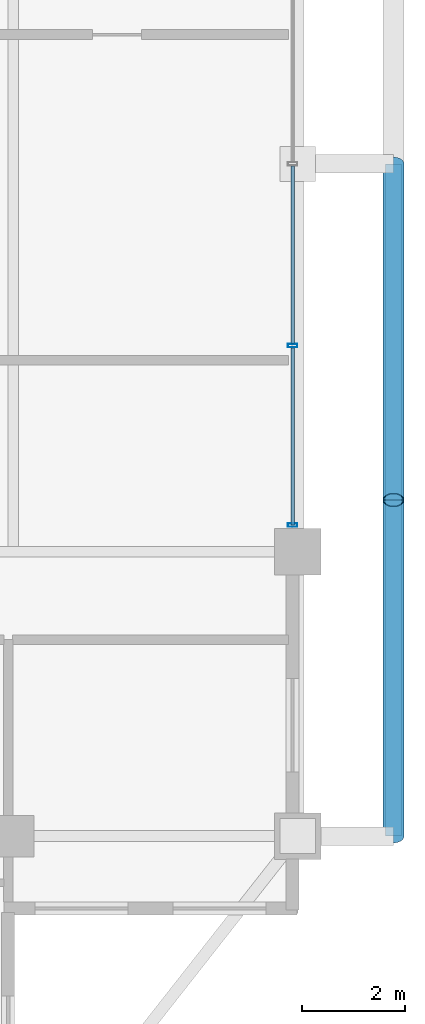
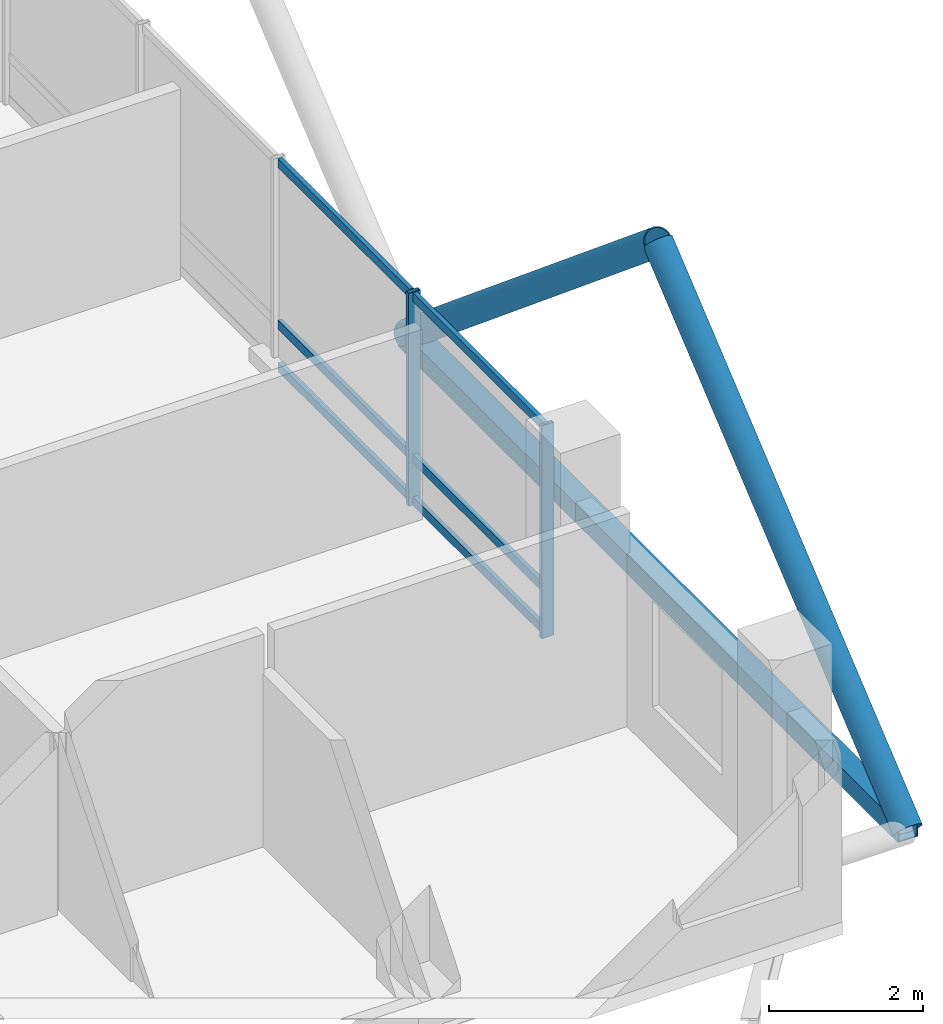
# One storey, part 12 of 21: 11 members, 1 element without a shape of its own.
"""IFC4 building model written with IfcOpenShell, lengths in metres."""

import ifcopenshell
import ifcopenshell.guid

model = None  # the IFC model being written
_history = None  # IfcOwnerHistory: only IFC2X3 demands one
_inside = {}  # id of a spatial element -> (the spatial element, [elements in it])
_under = {}  # id of a project, library or spatial element -> (it, [spatial elements below it])
_declared = {}  # id of a project -> (the project, [libraries it declares])
_typed = {}  # id of a type object -> (the type object, [elements of that type])
_made_of = {}  # id of a material, layer set ... -> (it, [elements and type objects made of it])


def new_model(schema):
    """Start an empty IFC model of exactly this schema.

    Asked for "IFC4X3", IfcOpenShell would pick the latest addendum, in which some entities
    have other attributes; the version numbers below select the first issue.
    IFC2X3 requires an IfcOwnerHistory on every rooted entity: one is made here for all.
    """
    global model, _history
    if schema == "IFC4X3":
        model = ifcopenshell.file(schema_version=(4, 3, 0, 0))
    else:
        model = ifcopenshell.file(schema=schema)
    _inside.clear()
    _under.clear()
    _declared.clear()
    _typed.clear()
    _made_of.clear()
    _history = None
    if model.schema == "IFC2X3":
        org = make("IfcOrganization", Name="unknown")
        user = make(
            "IfcPersonAndOrganization",
            ThePerson=make("IfcPerson", FamilyName="unknown"),
            TheOrganization=org,
        )
        app = make(
            "IfcApplication",
            ApplicationDeveloper=org,
            Version="unknown",
            ApplicationFullName="unknown",
            ApplicationIdentifier="unknown",
        )
        _history = make(
            "IfcOwnerHistory",
            OwningUser=user,
            OwningApplication=app,
            ChangeAction="ADDED",
            CreationDate=0,
        )
    return model


def make(cls, **values):
    """One entity of the class cls with the attributes given. An attribute that is None is left unset."""
    return model.create_entity(
        cls, **{name: value for name, value in values.items() if value is not None}
    )


def rooted(cls, **values):
    """An entity with a GlobalId (a new one), such as an element, a storey or a relation."""
    return make(cls, GlobalId=ifcopenshell.guid.new(), OwnerHistory=_history, **values)


def si_unit(unit_type, name, prefix=None):
    """IfcSIUnit, for example si_unit("LENGTHUNIT", "METRE", prefix="MILLI")."""
    return make("IfcSIUnit", UnitType=unit_type, Prefix=prefix, Name=name)


def assignment(units):
    """IfcUnitAssignment: the units of a project."""
    return None if units is None else make("IfcUnitAssignment", Units=units)


def point(xyz):
    """IfcCartesianPoint."""
    return None if xyz is None else make("IfcCartesianPoint", Coordinates=xyz)


def direction(xyz):
    """IfcDirection."""
    return None if xyz is None else make("IfcDirection", DirectionRatios=xyz)


def frame(location, z_axis=None, x_axis=None):
    """IfcAxis2Placement3D, a coordinate frame: its origin and axes. An axis left out is left unset."""
    return make(
        "IfcAxis2Placement3D",
        Location=point(location),
        Axis=direction(z_axis),
        RefDirection=direction(x_axis),
    )


def frame_2d(location, x_axis=None):
    """IfcAxis2Placement2D, a coordinate frame in the plane: its origin and x axis."""
    return make(
        "IfcAxis2Placement2D", Location=point(location), RefDirection=direction(x_axis)
    )


def origin():
    """The frame at (0, 0, 0) with its axes left unset."""
    return frame((0.0, 0.0, 0.0))


def origin_2d():
    """The frame at (0, 0) in the plane with its x axis left unset."""
    return frame_2d((0.0, 0.0))


def place(relative_to, where):
    """IfcLocalPlacement: puts the frame where relative to a parent placement (None: the world)."""
    return make(
        "IfcLocalPlacement", PlacementRelTo=relative_to, RelativePlacement=where
    )


def context(
    kind, dimensions, precision=None, world=None, true_north=None, identifier=None
):
    """IfcGeometricRepresentationContext, for example the 3D "Model" context."""
    return make(
        "IfcGeometricRepresentationContext",
        ContextIdentifier=identifier,
        ContextType=kind,
        CoordinateSpaceDimension=dimensions,
        Precision=precision,
        WorldCoordinateSystem=world,
        TrueNorth=true_north,
    )


def subcontext(parent, identifier, kind, view, scale=None):
    """IfcGeometricRepresentationSubContext, for example "Body" below "Model"."""
    return make(
        "IfcGeometricRepresentationSubContext",
        ContextIdentifier=identifier,
        ContextType=kind,
        ParentContext=parent,
        TargetScale=scale,
        TargetView=view,
    )


def project(units=None, contexts=None):
    """IfcProject with its units and contexts."""
    return rooted(
        "IfcProject",
        Name="project",
        RepresentationContexts=contexts,
        UnitsInContext=assignment(units),
    )


def spatial(cls, under=None, at=None, **own):
    """A site, building, storey or space (cls), placed at a placement, below another one or the project."""
    s = rooted(cls, ObjectPlacement=at, **own)
    if under is not None:
        _under.setdefault(under.id(), (under, []))[1].append(s)
    return s


def profile(cls, at=None, kind="AREA", **sizes):
    """A parametric profile (cls). Its sizes go by their IFC names, for example OverallWidth=200.0."""
    return make(cls, ProfileType=kind, Position=at, **sizes)


def hollow_rectangle(**sizes):
    """IfcRectangleHollowProfileDef."""
    return profile("IfcRectangleHollowProfileDef", **sizes)


def hollow_circle(**sizes):
    """IfcCircleHollowProfileDef."""
    return profile("IfcCircleHollowProfileDef", **sizes)


def extrude(swept, where, along, depth):
    """IfcExtrudedAreaSolid: the profile swept, set in the frame where, extruded along a direction by depth."""
    return make(
        "IfcExtrudedAreaSolid",
        SweptArea=swept,
        Position=where,
        ExtrudedDirection=direction(along),
        Depth=depth,
    )


def shape(context_of_items, identifier, shape_type, items):
    """IfcShapeRepresentation: the items that make up one representation, for example the "Body"."""
    return make(
        "IfcShapeRepresentation",
        ContextOfItems=context_of_items,
        RepresentationIdentifier=identifier,
        RepresentationType=shape_type,
        Items=items,
    )


def material(Name=None, Category=None):
    """IfcMaterial."""
    return make("IfcMaterial", Name=Name, Category=Category)


def layer(
    of_material, thickness, ventilated=None, Name=None, Category=None, Priority=None
):
    """IfcMaterialLayer: one layer of a wall or slab, of a material (None: an air gap)."""
    return make(
        "IfcMaterialLayer",
        Material=of_material,
        LayerThickness=thickness,
        IsVentilated=ventilated,
        Name=Name,
        Category=Category,
        Priority=Priority,
    )


def layer_set(layers, Name=None):
    """IfcMaterialLayerSet."""
    return make("IfcMaterialLayerSet", MaterialLayers=layers, LayerSetName=Name)


def material_profile(
    of_material, cross_section, Name=None, Category=None, Priority=None
):
    """IfcMaterialProfile: a cross section and its material."""
    return make(
        "IfcMaterialProfile",
        Name=Name,
        Material=of_material,
        Profile=cross_section,
        Priority=Priority,
        Category=Category,
    )


def profile_set(profiles, Name=None, composite=None):
    """IfcMaterialProfileSet."""
    return make(
        "IfcMaterialProfileSet",
        Name=Name,
        MaterialProfiles=profiles,
        CompositeProfile=composite,
    )


def made_of(thing, what):
    """Note that an element or type object is made of a material, layer set ...; save() writes the relation."""
    if what is not None:
        _made_of.setdefault(what.id(), (what, []))[1].append(thing)
    return thing


def type_object(cls, material=None, **own):
    """A type object (cls), such as IfcWallType, which elements share."""
    return made_of(rooted(cls, **own), material)


def element(
    cls,
    number,
    at=None,
    inside=None,
    cuts=None,
    type_object=None,
    material=None,
    context=None,
    identifier="Body",
    shape_type=None,
    held_by="IfcProductDefinitionShape",
    body=None,
    shapes=None,
    **own,
):
    """One element of the class cls, such as IfcWall. Its Tag is "e" and its number.

    at: its placement. inside: the storey or other place that contains it. cuts: it is an
    opening in that element (IfcRelVoidsElement). A single representation is given by context,
    identifier, shape_type and body (its items); several are given by shapes. held_by: the class
    of the entity that holds the representations. save() writes the other relations.
    """
    e = rooted(cls, Tag="e%d" % number, ObjectPlacement=at, **own)
    if body is not None:
        shapes = [shape(context, identifier, shape_type, body)]
    if shapes is not None:
        e.Representation = make(held_by, Representations=shapes)
    if inside is not None:
        _inside.setdefault(inside.id(), (inside, []))[1].append(e)
    if cuts is not None:
        rooted(
            "IfcRelVoidsElement", RelatingBuildingElement=cuts, RelatedOpeningElement=e
        )
    if type_object is not None:
        _typed.setdefault(type_object.id(), (type_object, []))[1].append(e)
    return made_of(e, material)


def aggregate(whole, parts):
    """IfcRelAggregates: a whole, such as a stair, and the parts it consists of."""
    return rooted("IfcRelAggregates", RelatingObject=whole, RelatedObjects=parts)


def save(model, path):
    """Write the relations noted so far, then the file.

    IfcRelAggregates (storeys below a building ...), IfcRelContainedInSpatialStructure (elements
    in a storey), IfcRelDefinesByType, IfcRelAssociatesMaterial and IfcRelDeclares: one each for
    every whole, place, type object, material and project.
    """
    for whole, parts in _under.values():
        aggregate(whole, parts)
    for where, things in _inside.values():
        rooted(
            "IfcRelContainedInSpatialStructure",
            RelatedElements=things,
            RelatingStructure=where,
        )
    for kind, things in _typed.values():
        rooted("IfcRelDefinesByType", RelatedObjects=things, RelatingType=kind)
    for what, things in _made_of.values():
        rooted("IfcRelAssociatesMaterial", RelatedObjects=things, RelatingMaterial=what)
    for by, libraries in _declared.values():
        rooted("IfcRelDeclares", RelatingContext=by, RelatedDefinitions=libraries)
    model.write(path)


model = new_model("IFC4")

# Units and contexts
model_context = context("Model", 3, precision=1e-05, world=origin(), true_north=direction((0.0, 1.0)))
body_context = subcontext(model_context, "Body", "Model", "MODEL_VIEW")
ifc_project = project(units=[si_unit("LENGTHUNIT", "METRE"), si_unit("AREAUNIT", "SQUARE_METRE"), si_unit("VOLUMEUNIT", "CUBIC_METRE"), si_unit("PLANEANGLEUNIT", "RADIAN"), si_unit("MASSUNIT", "GRAM", prefix="KILO")], contexts=[model_context])

# Site, building, storey
site_placement = place(None, origin())
site = spatial("IfcSite", under=ifc_project, at=site_placement, CompositionType="ELEMENT")
building_placement = place(site_placement, origin())
building = spatial("IfcBuilding", under=site, at=building_placement, Name="Barlavira Tower and Art Museum", CompositionType="ELEMENT")
storey_placement = place(building_placement, frame((0.0, 0.0, 261.89990234375)))
storey = spatial("IfcBuildingStorey", under=building, at=storey_placement, Name="L68", CompositionType="ELEMENT", Elevation=261.89990234375)

# Curtain wall, members
ifc_material_1 = material(Name="Low-iron coastal laminated glass", Category="glass")
ifc_layer = layer(ifc_material_1, 0.2099609375, Name="Low-iron coastal laminated glass")
ifc_layer_set = layer_set([ifc_layer], Name="Low-iron coastal laminated glass")
curtain_wall_type = type_object("IfcCurtainWallType", Name="Pale-Metal Unitised Curtain Wall Zone 4", PredefinedType="NOTDEFINED", material=ifc_layer_set)
curtain_wall_placement = place(storey_placement, origin())
curtain_wall = element("IfcCurtainWall", 1, at=curtain_wall_placement, inside=storey, type_object=curtain_wall_type, Name="L68 Curtain Wall CW4-L68-E-B3", PredefinedType="NOTDEFINED")
ifc_material_2 = material(Name="Pale anodised aluminium", Category="aluminium")
ifc_material_profile_1 = material_profile(ifc_material_2, hollow_rectangle(XDim=0.06494140625, YDim=0.179931640625, WallThickness=0.00390625, at=origin_2d()), Name="ALU-MULL 65x180x4")
ifc_profile_set_1 = profile_set([ifc_material_profile_1], Name="Pale anodised aluminium")
member_type_1 = type_object("IfcMemberType", Name="Curtain Wall Pale-Metal Mullion 65x180", PredefinedType="MULLION", material=ifc_profile_set_1)
member_1_placement = place(storey_placement, frame((16.89990234375, -6.985107421875, 0.0), z_axis=(0.0, 0.0, 1.0), x_axis=(0.0, 1.0, 0.0)))
member_1 = element("IfcMember", 2, at=member_1_placement, type_object=member_type_1, Name="CW4-L68-E-B3 Mullion 0", PredefinedType="MULLION", context=body_context, shape_type="SweptSolid", body=[
    extrude(hollow_rectangle(XDim=0.06494140625, YDim=0.179931640625, WallThickness=0.00390625, at=origin_2d()), origin(), (0.0, 0.0, 1.0), 3.380126953125),
])
member_2_placement = place(storey_placement, frame((16.89990234375, -3.514892578125, 0.0), z_axis=(0.0, 0.0, 1.0), x_axis=(0.0, 1.0, 0.0)))
member_2 = element("IfcMember", 3, at=member_2_placement, type_object=member_type_1, Name="CW4-L68-E-B3 Mullion 1", PredefinedType="MULLION", context=body_context, shape_type="SweptSolid", body=[
    extrude(hollow_rectangle(XDim=0.06494140625, YDim=0.179931640625, WallThickness=0.00390625, at=origin_2d()), origin(), (0.0, 0.0, 1.0), 3.380126953125),
])
ifc_material_profile_2 = material_profile(ifc_material_2, hollow_rectangle(XDim=0.06494140625, YDim=0.139892578125, WallThickness=0.00390625, at=origin_2d()), Name="ALU-TRAN 65x140x4")
ifc_profile_set_2 = profile_set([ifc_material_profile_2], Name="Pale anodised aluminium")
member_type_2 = type_object("IfcMemberType", Name="Curtain Wall Pale-Metal Transom 65x140", PredefinedType="USERDEFINED", material=ifc_profile_set_2)
member_3_placement = place(storey_placement, frame((16.89990234375, -6.985107421875, 0.070068359375), z_axis=(0.0, 1.0, 0.0), x_axis=(-1.0, 0.0, 0.0)))
member_3 = element("IfcMember", 4, at=member_3_placement, type_object=member_type_2, Name="CW4-L68-E-B3 Transom 0.1", ObjectType="TRANSOM", PredefinedType="USERDEFINED", context=body_context, shape_type="SweptSolid", body=[
    extrude(hollow_rectangle(XDim=0.06494140625, YDim=0.139892578125, WallThickness=0.00390625, at=origin_2d()), origin(), (0.0, 0.0, 1.0), 3.425048828125),
])
member_4_placement = place(storey_placement, frame((16.89990234375, -6.985107421875, 0.744140625), z_axis=(0.0, 1.0, 0.0), x_axis=(-1.0, 0.0, 0.0)))
member_4 = element("IfcMember", 5, at=member_4_placement, type_object=member_type_2, Name="CW4-L68-E-B3 Transom 0.2", ObjectType="TRANSOM", PredefinedType="USERDEFINED", context=body_context, shape_type="SweptSolid", body=[
    extrude(hollow_rectangle(XDim=0.06494140625, YDim=0.139892578125, WallThickness=0.00390625, at=origin_2d()), origin(), (0.0, 0.0, 1.0), 3.425048828125),
])
member_5_placement = place(storey_placement, frame((16.89990234375, -6.985107421875, 3.31005859375), z_axis=(0.0, 1.0, 0.0), x_axis=(-1.0, 0.0, 0.0)))
member_5 = element("IfcMember", 6, at=member_5_placement, type_object=member_type_2, Name="CW4-L68-E-B3 Transom 0.3", ObjectType="TRANSOM", PredefinedType="USERDEFINED", context=body_context, shape_type="SweptSolid", body=[
    extrude(hollow_rectangle(XDim=0.06494140625, YDim=0.139892578125, WallThickness=0.00390625, at=origin_2d()), origin(), (0.0, 0.0, 1.0), 3.425048828125),
])
member_6_placement = place(storey_placement, frame((16.89990234375, -3.469970703125, 0.070068359375), z_axis=(0.0, 1.0, 0.0), x_axis=(-1.0, 0.0, 0.0)))
member_6 = element("IfcMember", 7, at=member_6_placement, type_object=member_type_2, Name="CW4-L68-E-B3 Transom 1.1", ObjectType="TRANSOM", PredefinedType="USERDEFINED", context=body_context, shape_type="SweptSolid", body=[
    extrude(hollow_rectangle(XDim=0.06494140625, YDim=0.139892578125, WallThickness=0.00390625, at=origin_2d()), origin(), (0.0, 0.0, 1.0), 3.425048828125),
])
member_7_placement = place(storey_placement, frame((16.89990234375, -3.469970703125, 0.744140625), z_axis=(0.0, 1.0, 0.0), x_axis=(-1.0, 0.0, 0.0)))
member_7 = element("IfcMember", 8, at=member_7_placement, type_object=member_type_2, Name="CW4-L68-E-B3 Transom 1.2", ObjectType="TRANSOM", PredefinedType="USERDEFINED", context=body_context, shape_type="SweptSolid", body=[
    extrude(hollow_rectangle(XDim=0.06494140625, YDim=0.139892578125, WallThickness=0.00390625, at=origin_2d()), origin(), (0.0, 0.0, 1.0), 3.425048828125),
])
member_8_placement = place(storey_placement, frame((16.89990234375, -3.469970703125, 3.31005859375), z_axis=(0.0, 1.0, 0.0), x_axis=(-1.0, 0.0, 0.0)))
member_8 = element("IfcMember", 9, at=member_8_placement, type_object=member_type_2, Name="CW4-L68-E-B3 Transom 1.3", ObjectType="TRANSOM", PredefinedType="USERDEFINED", context=body_context, shape_type="SweptSolid", body=[
    extrude(hollow_rectangle(XDim=0.06494140625, YDim=0.139892578125, WallThickness=0.00390625, at=origin_2d()), origin(), (0.0, 0.0, 1.0), 3.425048828125),
])
aggregate(curtain_wall, [member_1, member_2, member_3, member_4, member_5, member_6, member_7, member_8])

# Members
ifc_material_3 = material(Name="Steel S355", Category="steel")
ifc_material_profile_3 = material_profile(ifc_material_3, hollow_circle(Radius=0.203125, WallThickness=0.01611328125, at=origin_2d()), Name="CHS 406.4x16.0")
ifc_profile_set_3 = profile_set([ifc_material_profile_3], Name="Steel S355")
member_type_3 = type_object("IfcMemberType", Name="Pale-Metal Exoskeleton Diagrid Tube CHS 406x16 Steel S355", PredefinedType="BRACE", material=ifc_profile_set_3)
for number, where, z_axis, x_axis, name in (
    (10, (18.85009765625, -13.0, -0.119873046875), (0.0, 0.769196053329, 0.639012857104), (-1.0, 0.0, 0.0), "L68 Exoskeleton Diagrid Tube E"),
    (11, (18.85009765625, 0.0, -0.119873046875), (0.0, -0.769196053329, 0.639012857104), (1.0, 0.0, 0.0), "L68 Exoskeleton Diagrid Tube E"),
):
    element("IfcMember", number, at=place(storey_placement, frame(where, z_axis=z_axis, x_axis=x_axis)), inside=storey, type_object=member_type_3, Name=name, PredefinedType="BRACE", context=body_context, shape_type="SweptSolid", body=[
        extrude(hollow_circle(Radius=0.203125, WallThickness=0.01611328125, at=origin_2d()), origin(), (0.0, 0.0, 1.0), 8.450439453125),
    ])
ifc_material_profile_4 = material_profile(ifc_material_3, hollow_rectangle(XDim=0.300048828125, YDim=0.300048828125, WallThickness=0.01611328125, at=origin_2d()), Name="SHS 300x300x16.0")
ifc_profile_set_4 = profile_set([ifc_material_profile_4], Name="Steel S355")
member_type_4 = type_object("IfcMemberType", Name="Pale-Metal Upper Ring Strut SHS 300x300x16 Steel S355", PredefinedType="STRUT", material=ifc_profile_set_4)
member_9_placement = place(storey_placement, frame((18.85009765625, -13.0, -0.119873046875), z_axis=(0.0, 1.0, 0.0), x_axis=(-1.0, 0.0, 0.0)))
element("IfcMember", 12, at=member_9_placement, inside=storey, type_object=member_type_4, Name="L68 Exoskeleton Ring Strut E", PredefinedType="STRUT", context=body_context, shape_type="SweptSolid", body=[
    extrude(hollow_rectangle(XDim=0.300048828125, YDim=0.300048828125, WallThickness=0.01611328125, at=origin_2d()), origin(), (0.0, 0.0, 1.0), 13.0),
])

save(model, "model.ifc")
